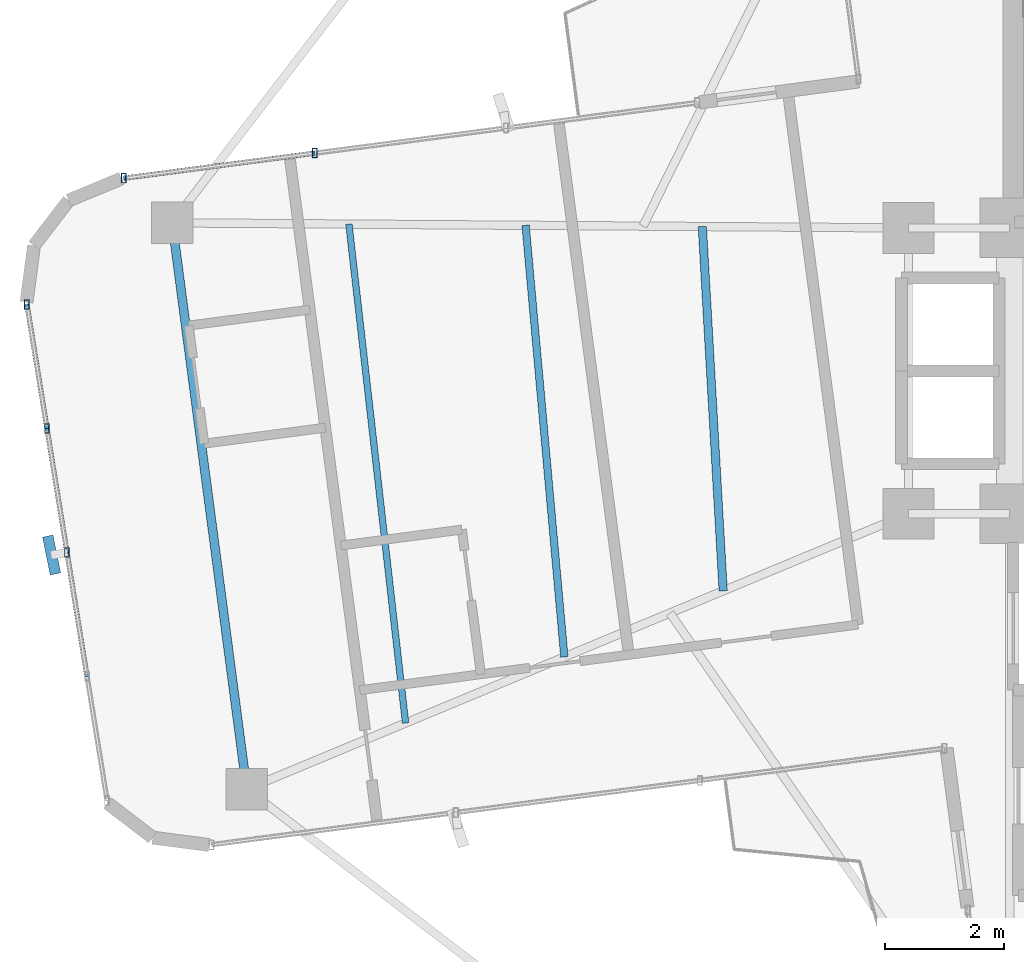
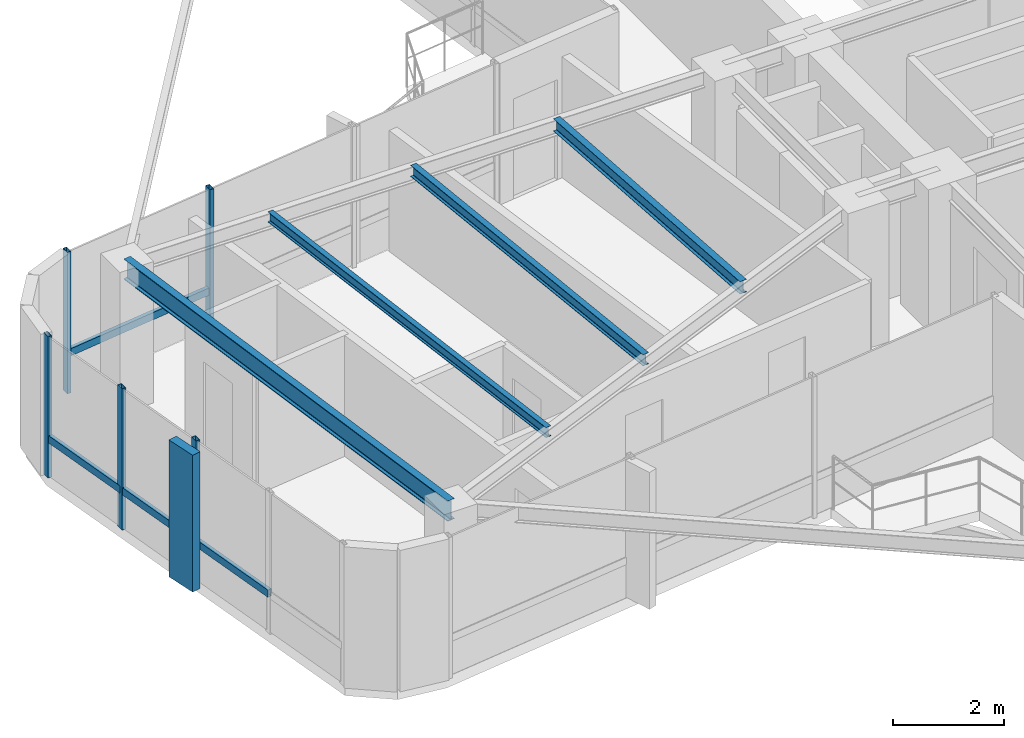
# One storey, part 6 of 21: 10 members, 4 beams, 2 elements without a shape of their own.
"""IFC4 building model written with IfcOpenShell, lengths in metres."""

from ifc_helpers import new_model, si_unit, direction, frame, origin, origin_2d, place, context, subcontext, project, spatial, rectangle, hollow_rectangle, i_section, extrude, source, transform, mapped, material, material_profile, profile_set, type_object, element, aggregate, save


model = new_model("IFC4")

# Units and contexts
model_context = context("Model", 3, precision=1e-05, world=origin(), true_north=direction((0.0, 1.0)))
body_context = subcontext(model_context, "Body", "Model", "MODEL_VIEW")
ifc_project = project(units=[si_unit("LENGTHUNIT", "METRE"), si_unit("AREAUNIT", "SQUARE_METRE"), si_unit("VOLUMEUNIT", "CUBIC_METRE"), si_unit("PLANEANGLEUNIT", "RADIAN"), si_unit("MASSUNIT", "GRAM", prefix="KILO")], contexts=[model_context])

# Site, building, storey
site_placement = place(None, origin())
site = spatial("IfcSite", under=ifc_project, at=site_placement, CompositionType="ELEMENT")
building_placement = place(site_placement, origin())
building = spatial("IfcBuilding", under=site, at=building_placement, Name="Sahyath Konkavel Grand Hotel", CompositionType="ELEMENT")
storey_placement = place(building_placement, frame((0.0, 0.0, 219.89990234375)))
storey = spatial("IfcBuildingStorey", under=building, at=storey_placement, Name="L61", CompositionType="ELEMENT", Elevation=219.89990234375)

# Beams
ifc_material_1 = material(Name="Steel E350", Category="steel")
ifc_material_profile_1 = material_profile(ifc_material_1, i_section(OverallWidth=0.14990234375, OverallDepth=0.449951171875, WebThickness=0.009521484375, FlangeThickness=0.017333984375, FilletRadius=0.014892578125, at=origin_2d()), Name="ISMB 450")
ifc_profile_set_1 = profile_set([ifc_material_profile_1], Name="Steel E350")
beam_type_1 = type_object("IfcBeamType", Name="BM-ISMB450", PredefinedType="BEAM", material=ifc_profile_set_1)
shared_shape_1 = source(origin(), body_context, "Body", "SweptSolid", [
    extrude(i_section(OverallWidth=0.14990234375, OverallDepth=0.449951171875, WebThickness=0.009521484375, FlangeThickness=0.017333984375, FilletRadius=0.014892578125, at=origin_2d()), origin(), (0.0, 0.0, 1.0), 9.592041015625),
])
beam_1_placement = place(storey_placement, frame((-17.8642578125, 2.485595703125, 2.885009765625), z_axis=(0.130519693891, -0.991445716873, 0.0), x_axis=(0.991445716873, 0.130519693891, 0.0)))
element("IfcBeam", 1, at=beam_1_placement, inside=storey, type_object=beam_type_1, Name="L61 Wing Tip Edge Beam W", PredefinedType="BEAM", context=body_context, shape_type="MappedRepresentation", body=[
    mapped(shared_shape_1, transform((0.0, 0.0, 0.0), scale=1.0)),
])
ifc_material_profile_2 = material_profile(ifc_material_1, i_section(OverallWidth=0.139892578125, OverallDepth=0.27490234375, WebThickness=0.00634765625, FlangeThickness=0.0087890625, FilletRadius=0.012939453125, at=origin_2d()), Name="ISLB 275")
ifc_profile_set_2 = profile_set([ifc_material_profile_2], Name="Steel E350")
beam_type_2 = type_object("IfcBeamType", Name="BM-ISLB275", PredefinedType="BEAM", material=ifc_profile_set_2)
shared_shape_2 = source(origin(), body_context, "Body", "SweptSolid", [
    extrude(i_section(OverallWidth=0.139892578125, OverallDepth=0.27490234375, WebThickness=0.00634765625, FlangeThickness=0.0087890625, FilletRadius=0.012939453125, at=origin_2d()), origin(), (0.0, 0.0, 1.0), 6.128662109375),
])
beam_2_placement = place(storey_placement, frame((-8.9619140625, 2.423828125, 2.97265625), z_axis=(0.057204076243, -0.998362506137, 0.0), x_axis=(0.998362506137, 0.057204076243, 0.0)))
element("IfcBeam", 2, at=beam_2_placement, inside=storey, type_object=beam_type_2, Name="L61 Secondary Floor Beam W-1", PredefinedType="BEAM", context=body_context, shape_type="MappedRepresentation", body=[
    mapped(shared_shape_2, transform((0.0, 0.0, 0.0), scale=1.0)),
])
ifc_material_profile_3 = material_profile(ifc_material_1, i_section(OverallWidth=0.125, OverallDepth=0.25, WebThickness=0.0068359375, FlangeThickness=0.012451171875, FilletRadius=0.012939453125, at=origin_2d()), Name="ISMB 250")
ifc_profile_set_3 = profile_set([ifc_material_profile_3], Name="Steel E350")
beam_type_3 = type_object("IfcBeamType", Name="BM-ISMB250", PredefinedType="BEAM", material=ifc_profile_set_3)
shared_shape_3 = source(origin(), body_context, "Body", "SweptSolid", [
    extrude(i_section(OverallWidth=0.125, OverallDepth=0.25, WebThickness=0.0068359375, FlangeThickness=0.012451171875, FilletRadius=0.012939453125, at=origin_2d()), origin(), (0.0, 0.0, 1.0), 7.278564453125),
])
beam_3_placement = place(storey_placement, frame((-11.929443359375, 2.444580078125, 2.985107421875), z_axis=(0.089459019762, -0.995990503862, 0.0), x_axis=(0.995990503862, 0.089459019762, 0.0)))
element("IfcBeam", 3, at=beam_3_placement, inside=storey, type_object=beam_type_3, Name="L61 Secondary Floor Beam W-2", PredefinedType="BEAM", context=body_context, shape_type="MappedRepresentation", body=[
    mapped(shared_shape_3, transform((0.0, 0.0, 0.0), scale=1.0)),
])
ifc_material_profile_4 = material_profile(ifc_material_1, i_section(OverallWidth=0.110107421875, OverallDepth=0.22509765625, WebThickness=0.006591796875, FlangeThickness=0.01171875, FilletRadius=0.011962890625, at=origin_2d()), Name="ISMB 225")
ifc_profile_set_4 = profile_set([ifc_material_profile_4], Name="Steel E350")
beam_type_4 = type_object("IfcBeamType", Name="BM-ISMB225", PredefinedType="BEAM", material=ifc_profile_set_4)
shared_shape_4 = source(origin(), body_context, "Body", "SweptSolid", [
    extrude(i_section(OverallWidth=0.110107421875, OverallDepth=0.22509765625, WebThickness=0.006591796875, FlangeThickness=0.01171875, FilletRadius=0.011962890625, at=origin_2d()), origin(), (0.0, 0.0, 1.0), 8.43359375),
])
beam_4_placement = place(storey_placement, frame((-14.89697265625, 2.465087890625, 2.99755859375), z_axis=(0.112842784992, -0.993612855128, 0.0), x_axis=(0.993612855128, 0.112842784992, 0.0)))
element("IfcBeam", 4, at=beam_4_placement, inside=storey, type_object=beam_type_4, Name="L61 Secondary Floor Beam W-3", PredefinedType="BEAM", context=body_context, shape_type="MappedRepresentation", body=[
    mapped(shared_shape_4, transform((0.0, 0.0, 0.0), scale=1.0)),
])

# Curtain wall, member
ifc_material_2 = material(Name="Anodised Bronze Aluminium & Low-E Glazing", Category="aluminium")
curtain_wall_type = type_object("IfcCurtainWallType", Name="CW-ZONE4", PredefinedType="NOTDEFINED", material=ifc_material_2)
curtain_wall_1_placement = place(storey_placement, origin())
curtain_wall_1 = element("IfcCurtainWall", 5, at=curtain_wall_1_placement, inside=storey, type_object=curtain_wall_type, Name="L61 Unitised Curtain Wall F20", PredefinedType="NOTDEFINED")
ifc_material_3 = material(Name="Warm Buff Sandstone Cladding on Concrete C50/60", Category="masonry")
ifc_material_profile_5 = material_profile(ifc_material_3, rectangle(XDim=0.179931640625, YDim=0.64990234375, at=origin_2d()), Name="FIN 180x650")
ifc_profile_set_5 = profile_set([ifc_material_profile_5], Name="Warm Buff Sandstone Cladding on Concrete C50/60")
member_type_1 = type_object("IfcMemberType", Name="FIN-SANDSTONE-650", PredefinedType="MULLION", material=ifc_profile_set_5)
shared_shape_5 = source(origin(), body_context, "Body", "SweptSolid", [
    extrude(rectangle(XDim=0.179931640625, YDim=0.64990234375, at=origin_2d()), origin(), (0.0, 0.0, 1.0), 3.010009765625),
])
member_1_placement = place(storey_placement, frame((-19.889404296875, -3.092529296875, 0.050048828125), z_axis=(0.0, 0.0, 1.0), x_axis=(0.980028959096, 0.198854819736, 0.0)))
member_1 = element("IfcMember", 6, at=member_1_placement, type_object=member_type_1, Name="L61 Sandstone Vertical Solar Fin FIN F20-2", PredefinedType="MULLION", context=body_context, shape_type="MappedRepresentation", body=[
    mapped(shared_shape_5, transform((0.0, 0.0, 0.0), scale=1.0)),
])

# Curtain wall, members
curtain_wall_2_placement = place(storey_placement, origin())
curtain_wall_2 = element("IfcCurtainWall", 7, at=curtain_wall_2_placement, inside=storey, type_object=curtain_wall_type, Name="L61 Unitised Curtain Wall F16", PredefinedType="NOTDEFINED")
ifc_material_4 = material(Name="Anodised Bronze Aluminium", Category="aluminium")
ifc_material_profile_6 = material_profile(ifc_material_4, hollow_rectangle(XDim=0.080078125, YDim=0.159912109375, WallThickness=0.006103515625, at=origin_2d()), Name="RHS 160x80x6")
ifc_profile_set_6 = profile_set([ifc_material_profile_6], Name="Anodised Bronze Aluminium")
member_type_2 = type_object("IfcMemberType", Name="CW-MUL-160", PredefinedType="MULLION", material=ifc_profile_set_6)
shared_shape_6 = source(origin(), body_context, "Body", "SweptSolid", [
    extrude(hollow_rectangle(XDim=0.080078125, YDim=0.159912109375, WallThickness=0.006103515625, at=origin_2d()), origin(), (0.0, 0.0, 1.0), 3.110107421875),
])
member_2_placement = place(storey_placement, frame((-15.4697265625, 3.657958984375, 0.0), z_axis=(0.0, 0.0, 1.0), x_axis=(1.0, 0.0, 0.0)))
member_2 = element("IfcMember", 8, at=member_2_placement, type_object=member_type_2, Name="L61 Curtain Wall Mullion F16-2", PredefinedType="MULLION", context=body_context, shape_type="MappedRepresentation", body=[
    mapped(shared_shape_6, transform((0.0, 0.0, 0.0), scale=1.0)),
])
member_3_placement = place(storey_placement, frame((-18.67919921875, 3.235595703125, 0.0), z_axis=(0.0, 0.0, 1.0), x_axis=(1.0, 0.0, 0.0)))
member_3 = element("IfcMember", 9, at=member_3_placement, type_object=member_type_2, Name="L61 Curtain Wall Mullion F16-3", PredefinedType="MULLION", context=body_context, shape_type="MappedRepresentation", body=[
    mapped(shared_shape_6, transform((0.0, 0.0, 0.0), scale=1.0)),
])

# Member
member_4_placement = place(storey_placement, frame((-20.30517578125, 1.115234375, 0.0), z_axis=(0.0, 0.0, 1.0), x_axis=(1.0, 0.0, 0.0)))
member_4 = element("IfcMember", 10, at=member_4_placement, type_object=member_type_2, Name="L61 Curtain Wall Mullion F20-0", PredefinedType="MULLION", context=body_context, shape_type="MappedRepresentation", body=[
    mapped(shared_shape_6, transform((0.0, 0.0, 0.0), scale=1.0)),
])

member_5_placement = place(storey_placement, frame((-19.968994140625, -0.968017578125, 0.0), z_axis=(0.0, 0.0, 1.0), x_axis=(1.0, 0.0, 0.0)))
member_5 = element("IfcMember", 11, at=member_5_placement, type_object=member_type_2, Name="L61 Curtain Wall Mullion F20-1", PredefinedType="MULLION", context=body_context, shape_type="MappedRepresentation", body=[
    mapped(shared_shape_6, transform((0.0, 0.0, 0.0), scale=1.0)),
])

member_6_placement = place(storey_placement, frame((-19.6328125, -3.05126953125, 0.0), z_axis=(0.0, 0.0, 1.0), x_axis=(1.0, 0.0, 0.0)))
member_6 = element("IfcMember", 12, at=member_6_placement, type_object=member_type_2, Name="L61 Curtain Wall Mullion F20-2", PredefinedType="MULLION", context=body_context, shape_type="MappedRepresentation", body=[
    mapped(shared_shape_6, transform((0.0, 0.0, 0.0), scale=1.0)),
])

ifc_material_profile_7 = material_profile(ifc_material_4, hollow_rectangle(XDim=0.080078125, YDim=0.159912109375, WallThickness=0.006103515625, at=origin_2d()), Name="RHS 160x80x6")
ifc_profile_set_7 = profile_set([ifc_material_profile_7], Name="Anodised Bronze Aluminium")
member_type_3 = type_object("IfcMemberType", Name="CW-TRN-160", PredefinedType="USERDEFINED", material=ifc_profile_set_7)
shared_shape_7 = source(origin(), body_context, "Body", "SweptSolid", [
    extrude(hollow_rectangle(XDim=0.080078125, YDim=0.159912109375, WallThickness=0.006103515625, at=origin_2d()), origin(), (0.0, 0.0, 1.0), 3.237060546875),
])
member_7_placement = place(storey_placement, frame((-15.4697265625, 3.657958984375, 0.85009765625), z_axis=(-0.991451728349, -0.130474021759, 0.0), x_axis=(0.130474021759, -0.991451728349, 0.0)))
member_7 = element("IfcMember", 13, at=member_7_placement, type_object=member_type_3, Name="L61 Curtain Wall Transom F16-2-spandrel", ObjectType="TRANSOM", PredefinedType="USERDEFINED", context=body_context, shape_type="MappedRepresentation", body=[
    mapped(shared_shape_7, transform((0.0, 0.0, 0.0), scale=1.0)),
])

aggregate(curtain_wall_2, [member_2, member_3, member_7])

shared_shape_8 = source(origin(), body_context, "Body", "SweptSolid", [
    extrude(hollow_rectangle(XDim=0.080078125, YDim=0.159912109375, WallThickness=0.006103515625, at=origin_2d()), origin(), (0.0, 0.0, 1.0), 2.110107421875),
])
member_8_placement = place(storey_placement, frame((-20.30517578125, 1.115234375, 0.85009765625), z_axis=(0.159312462857, -0.987228210283, 0.0), x_axis=(0.987228210283, 0.159312462857, 0.0)))
member_8 = element("IfcMember", 14, at=member_8_placement, type_object=member_type_3, Name="L61 Curtain Wall Transom F20-0-spandrel", ObjectType="TRANSOM", PredefinedType="USERDEFINED", context=body_context, shape_type="MappedRepresentation", body=[
    mapped(shared_shape_8, transform((0.0, 0.0, 0.0), scale=1.0)),
])

member_9_placement = place(storey_placement, frame((-19.968994140625, -0.968017578125, 0.85009765625), z_axis=(0.159312462857, -0.987228210283, 0.0), x_axis=(0.987228210283, 0.159312462857, 0.0)))
member_9 = element("IfcMember", 15, at=member_9_placement, type_object=member_type_3, Name="L61 Curtain Wall Transom F20-1-spandrel", ObjectType="TRANSOM", PredefinedType="USERDEFINED", context=body_context, shape_type="MappedRepresentation", body=[
    mapped(shared_shape_8, transform((0.0, 0.0, 0.0), scale=1.0)),
])

member_10_placement = place(storey_placement, frame((-19.6328125, -3.05126953125, 0.85009765625), z_axis=(0.159312462857, -0.987228210283, 0.0), x_axis=(0.987228210283, 0.159312462857, 0.0)))
member_10 = element("IfcMember", 16, at=member_10_placement, type_object=member_type_3, Name="L61 Curtain Wall Transom F20-2-spandrel", ObjectType="TRANSOM", PredefinedType="USERDEFINED", context=body_context, shape_type="MappedRepresentation", body=[
    mapped(shared_shape_8, transform((0.0, 0.0, 0.0), scale=1.0)),
])

aggregate(curtain_wall_1, [member_4, member_5, member_6, member_1, member_8, member_9, member_10])

save(model, "model.ifc")
